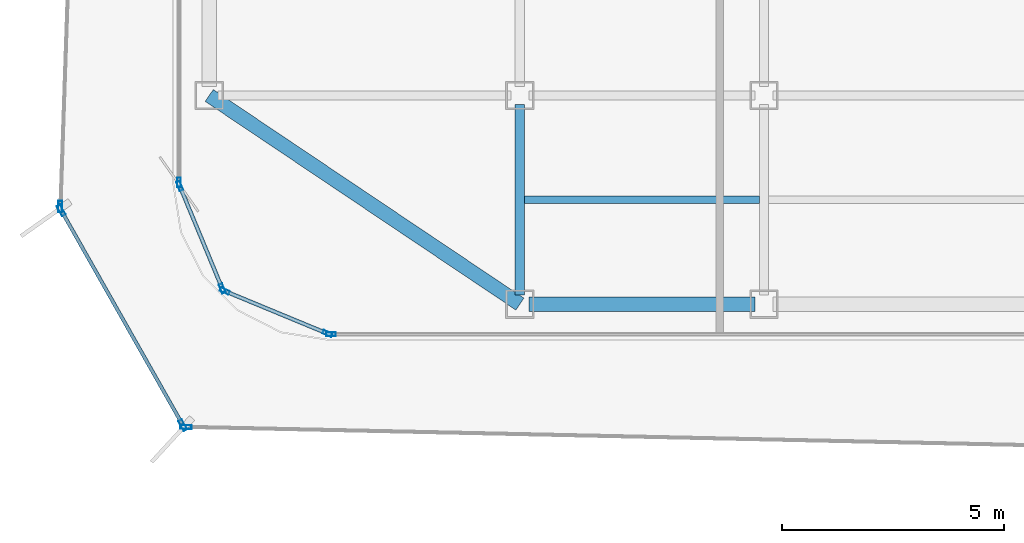
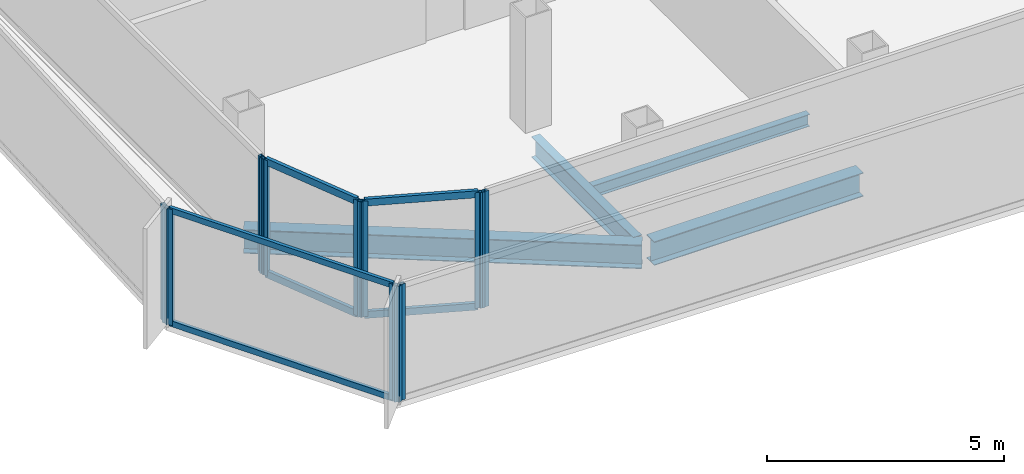
# One storey, part 2 of 15: 16 members, 4 beams, 7 elements without a shape of their own.
"""IFC4 building model written with IfcOpenShell, lengths in metres."""

from ifc_helpers import new_model, si_unit, direction, frame, origin, origin_2d, place, context, subcontext, project, spatial, hollow_rectangle, i_section, extrude, source, transform, mapped, material, layer, layer_set, material_profile, profile_set, type_object, element, aggregate, save


model = new_model("IFC4")

# Units and contexts
model_context = context("Model", 3, precision=1e-05, world=origin(), true_north=direction((0.0, 1.0)))
body_context = subcontext(model_context, "Body", "Model", "MODEL_VIEW")
ifc_project = project(units=[si_unit("LENGTHUNIT", "METRE"), si_unit("AREAUNIT", "SQUARE_METRE"), si_unit("VOLUMEUNIT", "CUBIC_METRE"), si_unit("PLANEANGLEUNIT", "RADIAN"), si_unit("MASSUNIT", "GRAM", prefix="KILO")], contexts=[model_context])

# Site, building, storey
site_placement = place(None, origin())
site = spatial("IfcSite", under=ifc_project, at=site_placement, CompositionType="ELEMENT")
building_placement = place(site_placement, origin())
building = spatial("IfcBuilding", under=site, at=building_placement, Name="Kolveth Station Tower", CompositionType="ELEMENT")
storey_placement = place(building_placement, frame((0.0, 0.0, 248.89990234375)))
storey = spatial("IfcBuildingStorey", under=building, at=storey_placement, Name="L71", CompositionType="ELEMENT", Elevation=248.89990234375)

# Beams
ifc_material_1 = material(Name="Steel S355", Category="steel")
ifc_material_profile_1 = material_profile(ifc_material_1, i_section(OverallWidth=0.323974609375, OverallDepth=0.611083984375, WebThickness=0.0126953125, FlangeThickness=0.01904296875, at=origin_2d()), Name="W610x155")
ifc_profile_set_1 = profile_set([ifc_material_profile_1], Name="Steel S355")
beam_type_1 = type_object("IfcBeamType", Name="Beam_SP2", PredefinedType="SPANDREL", material=ifc_profile_set_1)
shared_shape_1 = source(origin(), body_context, "Body", "SweptSolid", [
    extrude(i_section(OverallWidth=0.323974609375, OverallDepth=0.611083984375, WebThickness=0.0126953125, FlangeThickness=0.01904296875, at=origin_2d()), origin(), (0.0, 0.0, 1.0), 8.431396484375),
])
beam_1_placement = place(storey_placement, frame((6.0, 5.5, -0.525390625), z_axis=(0.830223811004, -0.557430196206, 0.0), x_axis=(0.557430196206, 0.830223811004, 0.0)))
element("IfcBeam", 1, at=beam_1_placement, inside=storey, type_object=beam_type_1, Name="L71 Corner Edge Girder BM-L71-CNR-SW", PredefinedType="SPANDREL", context=body_context, shape_type="MappedRepresentation", body=[
    mapped(shared_shape_1, transform((0.0, 0.0, 0.0), x_axis=(1.0, 0.0, 0.0), y_axis=(0.0, 1.0, 0.0), z_axis=(0.0, 0.0, 1.0), scale=1.0)),
])
shared_shape_2 = source(origin(), body_context, "Body", "SweptSolid", [
    extrude(i_section(OverallWidth=0.323974609375, OverallDepth=0.611083984375, WebThickness=0.0126953125, FlangeThickness=0.01904296875, at=origin_2d()), origin(), (0.0, 0.0, 1.0), 5.10009765625),
])
beam_2_placement = place(storey_placement, frame((13.199951171875, 0.800048828125, -0.525390625), z_axis=(1.0, 0.0, 0.0), x_axis=(0.0, 1.0, 0.0)))
element("IfcBeam", 2, at=beam_2_placement, inside=storey, type_object=beam_type_1, Name="L71 Perimeter Spandrel BM-L71-PS-1", PredefinedType="SPANDREL", context=body_context, shape_type="MappedRepresentation", body=[
    mapped(shared_shape_2, transform((0.0, 0.0, 0.0), x_axis=(1.0, 0.0, 0.0), y_axis=(0.0, 1.0, 0.0), z_axis=(0.0, 0.0, 1.0), scale=1.0)),
])
ifc_material_profile_2 = material_profile(ifc_material_1, i_section(OverallWidth=0.2099609375, OverallDepth=0.537109375, WebThickness=0.010986328125, FlangeThickness=0.017333984375, at=origin_2d()), Name="W530x101")
ifc_profile_set_2 = profile_set([ifc_material_profile_2], Name="Steel S355")
beam_type_2 = type_object("IfcBeamType", Name="Beam_B6", PredefinedType="BEAM", material=ifc_profile_set_2)
shared_shape_3 = source(origin(), body_context, "Body", "SweptSolid", [
    extrude(i_section(OverallWidth=0.2099609375, OverallDepth=0.537109375, WebThickness=0.010986328125, FlangeThickness=0.017333984375, at=origin_2d()), origin(), (0.0, 0.0, 1.0), 4.300048828125),
])
beam_3_placement = place(storey_placement, frame((13.0, 1.0, -0.48828125), z_axis=(0.0, 1.0, 0.0), x_axis=(-1.0, 0.0, 0.0)))
element("IfcBeam", 3, at=beam_3_placement, inside=storey, type_object=beam_type_2, Name="L71 Primary Girder BM-L71-GX130-1", PredefinedType="BEAM", context=body_context, shape_type="MappedRepresentation", body=[
    mapped(shared_shape_3, transform((0.0, 0.0, 0.0), x_axis=(1.0, 0.0, 0.0), y_axis=(0.0, 1.0, 0.0), z_axis=(0.0, 0.0, 1.0), scale=1.0)),
])
ifc_material_profile_3 = material_profile(ifc_material_1, i_section(OverallWidth=0.1650390625, OverallDepth=0.31005859375, WebThickness=0.005859375, FlangeThickness=0.009765625, at=origin_2d()), Name="W310x39")
ifc_profile_set_3 = profile_set([ifc_material_profile_3], Name="Steel S355")
beam_type_3 = type_object("IfcBeamType", Name="Beam_J3", PredefinedType="JOIST", material=ifc_profile_set_3)
shared_shape_4 = source(origin(), body_context, "Body", "SweptSolid", [
    extrude(i_section(OverallWidth=0.1650390625, OverallDepth=0.31005859375, WebThickness=0.005859375, FlangeThickness=0.009765625, at=origin_2d()), origin(), (0.0, 0.0, 1.0), 5.2939453125),
])
beam_4_placement = place(storey_placement, frame((13.10302734375, 3.14990234375, -0.375), z_axis=(1.0, 0.0, 0.0), x_axis=(0.0, 1.0, 0.0)))
element("IfcBeam", 4, at=beam_4_placement, inside=storey, type_object=beam_type_3, Name="L71 Secondary Joist JST-L71-2-1", PredefinedType="JOIST", context=body_context, shape_type="MappedRepresentation", body=[
    mapped(shared_shape_4, transform((0.0, 0.0, 0.0), x_axis=(1.0, 0.0, 0.0), y_axis=(0.0, 1.0, 0.0), z_axis=(0.0, 0.0, 1.0), scale=1.0)),
])

# Curtain wall, member
ifc_material_2 = material(Name="Black anodized aluminium 6063-T6 and dark solar glass", Category="aluminium")
ifc_layer_1 = layer(ifc_material_2, 0.159912109375)
ifc_layer_set_1 = layer_set([ifc_layer_1], Name="Black anodized aluminium 6063-T6 and dark solar glass")
curtain_wall_type_1 = type_object("IfcCurtainWallType", Name="OUTER SKIN CW-OS", PredefinedType="NOTDEFINED", material=ifc_layer_set_1)
curtain_wall_1_placement = place(storey_placement, origin())
curtain_wall_1 = element("IfcCurtainWall", 5, at=curtain_wall_1_placement, inside=storey, type_object=curtain_wall_type_1, Name="L71 Outer Ventilated Skin Curtain Wall 6", PredefinedType="NOTDEFINED")
ifc_material_3 = material(Name="Black anodized aluminium 6063-T6", Category="aluminium")
ifc_material_profile_4 = material_profile(ifc_material_3, hollow_rectangle(XDim=0.090087890625, YDim=0.260009765625, WallThickness=0.0048828125, at=origin_2d()), Name="ALU-90x260x5")
ifc_profile_set_4 = profile_set([ifc_material_profile_4], Name="Black anodized aluminium 6063-T6")
member_type_1 = type_object("IfcMemberType", Name="FIN MULLION ML-OS", PredefinedType="MULLION", material=ifc_profile_set_4)
shared_shape_5 = source(origin(), body_context, "Body", "SweptSolid", [
    extrude(hollow_rectangle(XDim=0.090087890625, YDim=0.260009765625, WallThickness=0.0048828125, at=origin_2d()), origin(), (0.0, 0.0, 1.0), 2.989990234375),
])
member_1_placement = place(storey_placement, frame((2.642822265625, 2.997314453125, 0.0), z_axis=(0.0, 0.0, 1.0), x_axis=(0.999420923176, -0.034026729455, 0.0)))
member_1 = element("IfcMember", 6, at=member_1_placement, type_object=member_type_1, Name="CW-OS mullion 2", PredefinedType="MULLION", context=body_context, shape_type="MappedRepresentation", body=[
    mapped(shared_shape_5, transform((0.0, 0.0, 0.0), x_axis=(1.0, 0.0, 0.0), y_axis=(0.0, 1.0, 0.0), z_axis=(0.0, 0.0, 1.0), scale=1.0)),
])
aggregate(curtain_wall_1, [member_1])

# Curtain wall, members
curtain_wall_2_placement = place(storey_placement, origin())
curtain_wall_2 = element("IfcCurtainWall", 7, at=curtain_wall_2_placement, inside=storey, type_object=curtain_wall_type_1, Name="L71 Outer Ventilated Skin Curtain Wall 7", PredefinedType="NOTDEFINED")
member_2_placement = place(storey_placement, frame((2.663330078125, 2.913330078125, 0.0), z_axis=(0.0, 0.0, 1.0), x_axis=(0.870160169506, 0.492768991927, 0.0)))
member_2 = element("IfcMember", 8, at=member_2_placement, type_object=member_type_1, Name="CW-OS mullion 1", PredefinedType="MULLION", context=body_context, shape_type="MappedRepresentation", body=[
    mapped(shared_shape_5, transform((0.0, 0.0, 0.0), x_axis=(1.0, 0.0, 0.0), y_axis=(0.0, 1.0, 0.0), z_axis=(0.0, 0.0, 1.0), scale=1.0)),
])
member_3_placement = place(storey_placement, frame((5.40625, -1.93017578125, 0.0), z_axis=(0.0, 0.0, 1.0), x_axis=(0.870160169506, 0.492768991927, 0.0)))
member_3 = element("IfcMember", 9, at=member_3_placement, type_object=member_type_1, Name="CW-OS mullion 2", PredefinedType="MULLION", context=body_context, shape_type="MappedRepresentation", body=[
    mapped(shared_shape_5, transform((0.0, 0.0, 0.0), x_axis=(1.0, 0.0, 0.0), y_axis=(0.0, 1.0, 0.0), z_axis=(0.0, 0.0, 1.0), scale=1.0)),
])

# Curtain wall, member
curtain_wall_3_placement = place(storey_placement, origin())
curtain_wall_3 = element("IfcCurtainWall", 10, at=curtain_wall_3_placement, inside=storey, type_object=curtain_wall_type_1, Name="L71 Outer Ventilated Skin Curtain Wall 8", PredefinedType="NOTDEFINED")
member_4_placement = place(storey_placement, frame((5.473388671875, -1.970458984375, 0.0), z_axis=(0.0, 0.0, 1.0), x_axis=(0.021662817594, 0.999765333633, 0.0)))
member_4 = element("IfcMember", 11, at=member_4_placement, type_object=member_type_1, Name="CW-OS mullion 1", PredefinedType="MULLION", context=body_context, shape_type="MappedRepresentation", body=[
    mapped(shared_shape_5, transform((0.0, 0.0, 0.0), x_axis=(1.0, 0.0, 0.0), y_axis=(0.0, 1.0, 0.0), z_axis=(0.0, 0.0, 1.0), scale=1.0)),
])
aggregate(curtain_wall_3, [member_4])

ifc_material_4 = material(Name="Aluminium 6063-T6 and triple low-E dark glass", Category="aluminium")
ifc_layer_2 = layer(ifc_material_4, 0.199951171875)
ifc_layer_set_2 = layer_set([ifc_layer_2], Name="Aluminium 6063-T6 and triple low-E dark glass")
curtain_wall_type_2 = type_object("IfcCurtainWallType", Name="CurtainWall_CW-Z3", PredefinedType="NOTDEFINED", material=ifc_layer_set_2)
curtain_wall_4_placement = place(storey_placement, origin())
curtain_wall_4 = element("IfcCurtainWall", 12, at=curtain_wall_4_placement, inside=storey, type_object=curtain_wall_type_2, Name="L71 Inner Thermal Curtain Wall 9", PredefinedType="NOTDEFINED")
ifc_material_profile_5 = material_profile(ifc_material_3, hollow_rectangle(XDim=0.0849609375, YDim=0.215087890625, WallThickness=0.0048828125, at=origin_2d()), Name="ALU-85x215x5")
ifc_profile_set_5 = profile_set([ifc_material_profile_5], Name="Black anodized aluminium 6063-T6")
member_type_2 = type_object("IfcMemberType", Name="Mullion_ML3", PredefinedType="MULLION", material=ifc_profile_set_5)
shared_shape_6 = source(origin(), body_context, "Body", "SweptSolid", [
    extrude(hollow_rectangle(XDim=0.0849609375, YDim=0.215087890625, WallThickness=0.0048828125, at=origin_2d()), origin(), (0.0, 0.0, 1.0), 2.97998046875),
])
member_5_placement = place(storey_placement, frame((5.320068359375, 3.54248046875, 0.0), z_axis=(0.0, 0.0, 1.0), x_axis=(1.0, 0.0, 0.0)))
member_5 = element("IfcMember", 13, at=member_5_placement, type_object=member_type_2, Name="CW-Z3 mullion 2", PredefinedType="MULLION", context=body_context, shape_type="MappedRepresentation", body=[
    mapped(shared_shape_6, transform((0.0, 0.0, 0.0), x_axis=(1.0, 0.0, 0.0), y_axis=(0.0, 1.0, 0.0), z_axis=(0.0, 0.0, 1.0), scale=1.0)),
])
aggregate(curtain_wall_4, [member_5])

# Curtain wall, members
curtain_wall_5_placement = place(storey_placement, origin())
curtain_wall_5 = element("IfcCurtainWall", 14, at=curtain_wall_5_placement, inside=storey, type_object=curtain_wall_type_2, Name="L71 Inner Thermal Curtain Wall 10", PredefinedType="NOTDEFINED")
member_6_placement = place(storey_placement, frame((5.336181640625, 3.460693359375, 0.0), z_axis=(0.0, 0.0, 1.0), x_axis=(0.923875488975, 0.382693194181, 0.0)))
member_6 = element("IfcMember", 15, at=member_6_placement, type_object=member_type_2, Name="CW-Z3 mullion 1", PredefinedType="MULLION", context=body_context, shape_type="MappedRepresentation", body=[
    mapped(shared_shape_6, transform((0.0, 0.0, 0.0), x_axis=(1.0, 0.0, 0.0), y_axis=(0.0, 1.0, 0.0), z_axis=(0.0, 0.0, 1.0), scale=1.0)),
])
member_7_placement = place(storey_placement, frame((6.293701171875, 1.149169921875, 0.0), z_axis=(0.0, 0.0, 1.0), x_axis=(0.923875488975, 0.382693194181, 0.0)))
member_7 = element("IfcMember", 16, at=member_7_placement, type_object=member_type_2, Name="CW-Z3 mullion 2", PredefinedType="MULLION", context=body_context, shape_type="MappedRepresentation", body=[
    mapped(shared_shape_6, transform((0.0, 0.0, 0.0), x_axis=(1.0, 0.0, 0.0), y_axis=(0.0, 1.0, 0.0), z_axis=(0.0, 0.0, 1.0), scale=1.0)),
])

curtain_wall_6_placement = place(storey_placement, origin())
curtain_wall_6 = element("IfcCurtainWall", 17, at=curtain_wall_6_placement, inside=storey, type_object=curtain_wall_type_2, Name="L71 Inner Thermal Curtain Wall 11", PredefinedType="NOTDEFINED")
member_8_placement = place(storey_placement, frame((6.349365234375, 1.09375, 0.0), z_axis=(0.0, 0.0, 1.0), x_axis=(0.382693194181, 0.923875488975, 0.0)))
member_8 = element("IfcMember", 18, at=member_8_placement, type_object=member_type_2, Name="CW-Z3 mullion 1", PredefinedType="MULLION", context=body_context, shape_type="MappedRepresentation", body=[
    mapped(shared_shape_6, transform((0.0, 0.0, 0.0), x_axis=(1.0, 0.0, 0.0), y_axis=(0.0, 1.0, 0.0), z_axis=(0.0, 0.0, 1.0), scale=1.0)),
])
member_9_placement = place(storey_placement, frame((8.66064453125, 0.13623046875, 0.0), z_axis=(0.0, 0.0, 1.0), x_axis=(0.382693194181, 0.923875488975, 0.0)))
member_9 = element("IfcMember", 19, at=member_9_placement, type_object=member_type_2, Name="CW-Z3 mullion 2", PredefinedType="MULLION", context=body_context, shape_type="MappedRepresentation", body=[
    mapped(shared_shape_6, transform((0.0, 0.0, 0.0), x_axis=(1.0, 0.0, 0.0), y_axis=(0.0, 1.0, 0.0), z_axis=(0.0, 0.0, 1.0), scale=1.0)),
])

# Curtain wall, member
curtain_wall_7_placement = place(storey_placement, origin())
curtain_wall_7 = element("IfcCurtainWall", 20, at=curtain_wall_7_placement, inside=storey, type_object=curtain_wall_type_2, Name="L71 Inner Thermal Curtain Wall 12", PredefinedType="NOTDEFINED")
member_10_placement = place(storey_placement, frame((8.742431640625, 0.1201171875, 0.0), z_axis=(0.0, 0.0, 1.0), x_axis=(0.0, 1.0, 0.0)))
member_10 = element("IfcMember", 21, at=member_10_placement, type_object=member_type_2, Name="CW-Z3 mullion 1", PredefinedType="MULLION", context=body_context, shape_type="MappedRepresentation", body=[
    mapped(shared_shape_6, transform((0.0, 0.0, 0.0), x_axis=(1.0, 0.0, 0.0), y_axis=(0.0, 1.0, 0.0), z_axis=(0.0, 0.0, 1.0), scale=1.0)),
])
aggregate(curtain_wall_7, [member_10])

# Member
ifc_material_profile_6 = material_profile(ifc_material_3, hollow_rectangle(XDim=0.0849609375, YDim=0.179931640625, WallThickness=0.0048828125, at=origin_2d()), Name="ALU-85x180x5")
ifc_profile_set_6 = profile_set([ifc_material_profile_6], Name="Black anodized aluminium 6063-T6")
member_type_3 = type_object("IfcMemberType", Name="Transom_TR3", PredefinedType="USERDEFINED", material=ifc_profile_set_6)
shared_shape_7 = source(origin(), body_context, "Body", "SweptSolid", [
    extrude(hollow_rectangle(XDim=0.0849609375, YDim=0.179931640625, WallThickness=0.0048828125, at=origin_2d()), origin(), (0.0, 0.0, 1.0), 2.4169921875),
])
member_11_placement = place(storey_placement, frame((5.3525390625, 3.42138671875, 0.04248046875), z_axis=(0.382735401206, -0.9238580046, 0.0), x_axis=(0.9238580046, 0.382735401206, 0.0)))
member_11 = element("IfcMember", 22, at=member_11_placement, type_object=member_type_3, Name="CW-Z3 transom 1.1", ObjectType="TRANSOM", PredefinedType="USERDEFINED", context=body_context, shape_type="MappedRepresentation", body=[
    mapped(shared_shape_7, transform((0.0, 0.0, 0.0), x_axis=(1.0, 0.0, 0.0), y_axis=(0.0, 1.0, 0.0), z_axis=(0.0, 0.0, 1.0), scale=1.0)),
])

member_12_placement = place(storey_placement, frame((5.3525390625, 3.42138671875, 2.9375), z_axis=(0.382735401206, -0.9238580046, 0.0), x_axis=(0.9238580046, 0.382735401206, 0.0)))
member_12 = element("IfcMember", 23, at=member_12_placement, type_object=member_type_3, Name="CW-Z3 transom 1.2", ObjectType="TRANSOM", PredefinedType="USERDEFINED", context=body_context, shape_type="MappedRepresentation", body=[
    mapped(shared_shape_7, transform((0.0, 0.0, 0.0), x_axis=(1.0, 0.0, 0.0), y_axis=(0.0, 1.0, 0.0), z_axis=(0.0, 0.0, 1.0), scale=1.0)),
])

aggregate(curtain_wall_5, [member_6, member_7, member_11, member_12])

member_13_placement = place(storey_placement, frame((6.388427734375, 1.077392578125, 0.04248046875), z_axis=(0.923908507952, -0.382613471971, 0.0), x_axis=(0.382613471971, 0.923908507952, 0.0)))
member_13 = element("IfcMember", 24, at=member_13_placement, type_object=member_type_3, Name="CW-Z3 transom 1.1", ObjectType="TRANSOM", PredefinedType="USERDEFINED", context=body_context, shape_type="MappedRepresentation", body=[
    mapped(shared_shape_7, transform((0.0, 0.0, 0.0), x_axis=(1.0, 0.0, 0.0), y_axis=(0.0, 1.0, 0.0), z_axis=(0.0, 0.0, 1.0), scale=1.0)),
])

member_14_placement = place(storey_placement, frame((6.388427734375, 1.077392578125, 2.9375), z_axis=(0.923908507952, -0.382613471971, 0.0), x_axis=(0.382613471971, 0.923908507952, 0.0)))
member_14 = element("IfcMember", 25, at=member_14_placement, type_object=member_type_3, Name="CW-Z3 transom 1.2", ObjectType="TRANSOM", PredefinedType="USERDEFINED", context=body_context, shape_type="MappedRepresentation", body=[
    mapped(shared_shape_7, transform((0.0, 0.0, 0.0), x_axis=(1.0, 0.0, 0.0), y_axis=(0.0, 1.0, 0.0), z_axis=(0.0, 0.0, 1.0), scale=1.0)),
])

aggregate(curtain_wall_6, [member_8, member_9, member_13, member_14])

ifc_material_profile_7 = material_profile(ifc_material_3, hollow_rectangle(XDim=0.080078125, YDim=0.14990234375, WallThickness=0.0048828125, at=origin_2d()), Name="ALU-80x150x5")
ifc_profile_set_7 = profile_set([ifc_material_profile_7], Name="Black anodized aluminium 6063-T6")
member_type_4 = type_object("IfcMemberType", Name="Transom_TR-OS", PredefinedType="USERDEFINED", material=ifc_profile_set_7)
shared_shape_8 = source(origin(), body_context, "Body", "SweptSolid", [
    extrude(hollow_rectangle(XDim=0.080078125, YDim=0.14990234375, WallThickness=0.0048828125, at=origin_2d()), origin(), (0.0, 0.0, 1.0), 5.47607421875),
])
member_15_placement = place(storey_placement, frame((2.685546875, 2.8740234375, 0.0400390625), z_axis=(0.492769580396, -0.870159836258, 0.0), x_axis=(0.870159836258, 0.492769580396, 0.0)))
member_15 = element("IfcMember", 26, at=member_15_placement, type_object=member_type_4, Name="CW-OS transom 1.1", ObjectType="TRANSOM", PredefinedType="USERDEFINED", context=body_context, shape_type="MappedRepresentation", body=[
    mapped(shared_shape_8, transform((0.0, 0.0, 0.0), x_axis=(1.0, 0.0, 0.0), y_axis=(0.0, 1.0, 0.0), z_axis=(0.0, 0.0, 1.0), scale=1.0)),
])

member_16_placement = place(storey_placement, frame((2.685546875, 2.8740234375, 2.9501953125), z_axis=(0.492769580396, -0.870159836258, 0.0), x_axis=(0.870159836258, 0.492769580396, 0.0)))
member_16 = element("IfcMember", 27, at=member_16_placement, type_object=member_type_4, Name="CW-OS transom 1.2", ObjectType="TRANSOM", PredefinedType="USERDEFINED", context=body_context, shape_type="MappedRepresentation", body=[
    mapped(shared_shape_8, transform((0.0, 0.0, 0.0), x_axis=(1.0, 0.0, 0.0), y_axis=(0.0, 1.0, 0.0), z_axis=(0.0, 0.0, 1.0), scale=1.0)),
])

aggregate(curtain_wall_2, [member_2, member_3, member_15, member_16])

save(model, "model.ifc")
